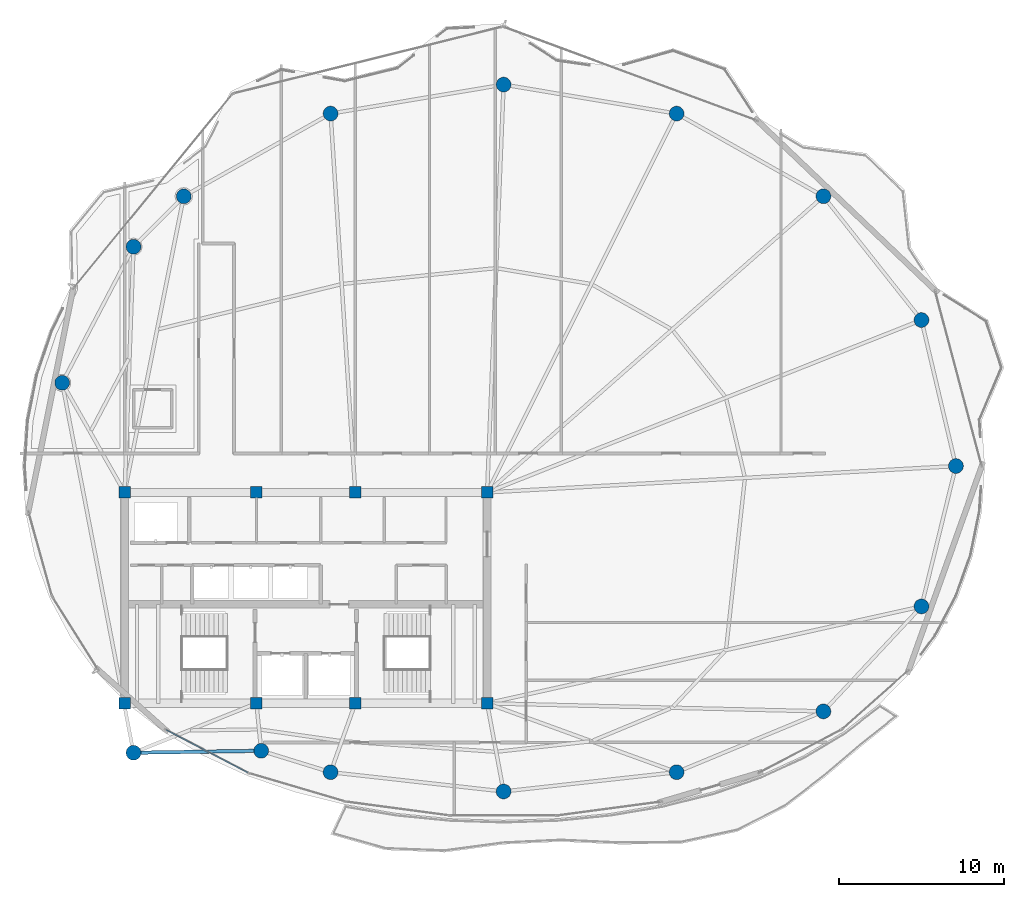
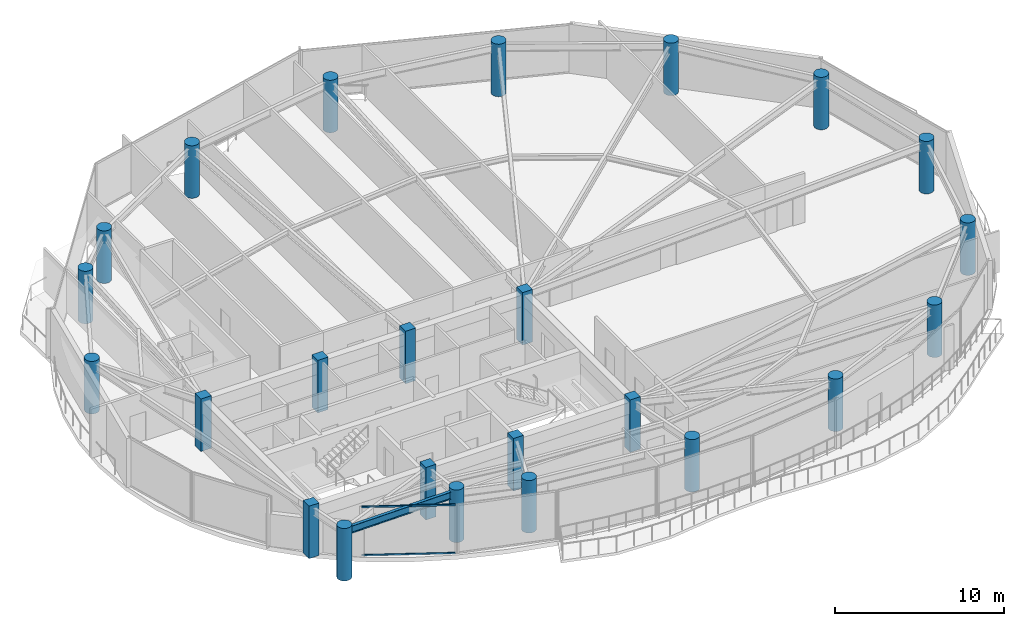
# One storey, part 1 of 29: 24 columns, 2 members, 1 beam, 1 element without a shape of its own.
"""IFC4 building model written with IfcOpenShell, lengths in metres."""

from ifc_helpers import new_model, si_unit, direction, frame, origin, origin_2d, place, context, subcontext, project, spatial, rectangle, hollow_rectangle, circle, i_section, extrude, material, layer, layer_set, material_profile, profile_set, type_object, element, aggregate, save


model = new_model("IFC4")

# Units and contexts
model_context = context("Model", 3, precision=1e-05, world=origin(), true_north=direction((0.0, 1.0)))
body_context = subcontext(model_context, "Body", "Model", "MODEL_VIEW")
ifc_project = project(units=[si_unit("LENGTHUNIT", "METRE"), si_unit("AREAUNIT", "SQUARE_METRE"), si_unit("VOLUMEUNIT", "CUBIC_METRE"), si_unit("PLANEANGLEUNIT", "RADIAN"), si_unit("MASSUNIT", "GRAM", prefix="KILO")], contexts=[model_context])

# Site, building, storey
site_placement = place(None, origin())
site = spatial("IfcSite", under=ifc_project, at=site_placement, CompositionType="ELEMENT")
building_placement = place(site_placement, origin())
building = spatial("IfcBuilding", under=site, at=building_placement, Name="Kazevale Care Tower and Concert Hall", CompositionType="ELEMENT")
storey_placement = place(building_placement, frame((0.0, 0.0, 281.39990234375)))
storey = spatial("IfcBuildingStorey", under=building, at=storey_placement, Name="L74", CompositionType="ELEMENT", Elevation=281.39990234375)

# Columns
ifc_material_1 = material(Name="Concrete C50", Category="concrete")
ifc_material_profile_1 = material_profile(ifc_material_1, rectangle(XDim=0.699951171875, YDim=0.699951171875, at=origin_2d()), Name="RC-SQ700")
ifc_profile_set_1 = profile_set([ifc_material_profile_1], Name="Concrete C50")
column_type_1 = type_object("IfcColumnType", Name="Core Column SQ700 C50", PredefinedType="COLUMN", material=ifc_profile_set_1)
for number, where, z_axis, x_axis, name in (
    (1, (22.0, 23.60009765625, 0.0), (0.0, 0.0, 1.0), (1.0, 0.0, 0.0), "col:L74:CC-01"),
    (2, (30.0, 23.60009765625, 0.0), (0.0, 0.0, 1.0), (1.0, 0.0, 0.0), "col:L74:CC-02"),
    (3, (36.0, 23.60009765625, 0.0), (0.0, 0.0, 1.0), (1.0, 0.0, 0.0), "col:L74:CC-03"),
    (4, (44.0, 23.60009765625, 0.0), (0.0, 0.0, 1.0), (1.0, 0.0, 0.0), "col:L74:CC-04"),
    (5, (44.0, 36.39990234375, 0.0), (0.0, 0.0, 1.0), (1.0, 0.0, 0.0), "col:L74:CC-05"),
    (6, (36.0, 36.39990234375, 0.0), (0.0, 0.0, 1.0), (1.0, 0.0, 0.0), "col:L74:CC-06"),
    (7, (30.0, 36.39990234375, 0.0), (0.0, 0.0, 1.0), (1.0, 0.0, 0.0), "col:L74:CC-07"),
    (8, (22.0, 36.39990234375, 0.0), (0.0, 0.0, 1.0), (1.0, 0.0, 0.0), "col:L74:CC-08"),
):
    element("IfcColumn", number, at=place(storey_placement, frame(where, z_axis=z_axis, x_axis=x_axis)), inside=storey, type_object=column_type_1, Name=name, PredefinedType="COLUMN", context=body_context, shape_type="SweptSolid", body=[
        extrude(rectangle(XDim=0.699951171875, YDim=0.699951171875, at=origin_2d()), origin(), (0.0, 0.0, 1.0), 3.800048828125),
    ])
ifc_material_profile_2 = material_profile(ifc_material_1, circle(Radius=0.449951171875, at=origin_2d()), Name="RC-CIR900")
ifc_profile_set_2 = profile_set([ifc_material_profile_2], Name="Concrete C50")
column_type_2 = type_object("IfcColumnType", Name="Perimeter Column CIR900 C50", PredefinedType="COLUMN", material=ifc_profile_set_2)
for number, where, z_axis, x_axis, name in (
    (9, (72.449951171875, 38.0, 0.0), (0.0, 0.0, 1.0), (1.0, 0.0, 0.0), "col:L74:PC-01"),
    (10, (70.360107421875, 46.860107421875, 0.0), (0.0, 0.0, 1.0), (1.0, 0.0, 0.0), "col:L74:PC-02"),
    (11, (64.409912109375, 54.3701171875, 0.0), (0.0, 0.0, 1.0), (1.0, 0.0, 0.0), "col:L74:PC-03"),
    (12, (55.5, 59.389892578125, 0.0), (0.0, 0.0, 1.0), (1.0, 0.0, 0.0), "col:L74:PC-04"),
    (13, (45.0, 61.14990234375, 0.0), (0.0, 0.0, 1.0), (1.0, 0.0, 0.0), "col:L74:PC-05"),
    (14, (34.5, 59.389892578125, 0.0), (0.0, 0.0, 1.0), (1.0, 0.0, 0.0), "col:L74:PC-06"),
    (15, (25.590087890625, 54.3701171875, 0.0), (0.0, 0.0, 1.0), (1.0, 0.0, 0.0), "col:L74:PC-07"),
    (16, (22.5400390625, 51.31005859375, 0.0), (0.0, 0.0, 1.0), (1.0, 0.0, 0.0), "col:L74:PC-08"),
    (17, (18.2099609375, 43.050048828125, 0.0), (0.0, 0.0, 1.0), (1.0, 0.0, 0.0), "col:L74:PC-09"),
    (18, (22.5400390625, 20.60009765625, 0.0), (0.0, 0.0, 1.0), (1.0, 0.0, 0.0), "col:L74:PC-10"),
    (19, (30.2900390625, 20.719970703125, 0.0), (0.0, 0.0, 1.0), (1.0, 0.0, 0.0), "col:L74:PC-11"),
    (20, (34.5, 19.419921875, 0.0), (0.0, 0.0, 1.0), (1.0, 0.0, 0.0), "col:L74:PC-12"),
    (21, (45.0, 18.25, 0.0), (0.0, 0.0, 1.0), (1.0, 0.0, 0.0), "col:L74:PC-13"),
    (22, (55.5, 19.419921875, 0.0), (0.0, 0.0, 1.0), (1.0, 0.0, 0.0), "col:L74:PC-14"),
    (23, (64.409912109375, 23.110107421875, 0.0), (0.0, 0.0, 1.0), (1.0, 0.0, 0.0), "col:L74:PC-15"),
    (24, (70.360107421875, 29.47998046875, 0.0), (0.0, 0.0, 1.0), (1.0, 0.0, 0.0), "col:L74:PC-16"),
):
    element("IfcColumn", number, at=place(storey_placement, frame(where, z_axis=z_axis, x_axis=x_axis)), inside=storey, type_object=column_type_2, Name=name, PredefinedType="COLUMN", context=body_context, shape_type="SweptSolid", body=[
        extrude(circle(Radius=0.449951171875, at=origin_2d()), origin(), (0.0, 0.0, 1.0), 3.800048828125),
    ])

# Curtain wall, members
ifc_material_2 = material(Name="Aluminium 6063-T6 and Low-E Glass", Category="aluminium")
ifc_layer = layer(ifc_material_2, 0.179931640625)
ifc_layer_set = layer_set([ifc_layer], Name="Aluminium 6063-T6 and Low-E Glass")
curtain_wall_type = type_object("IfcCurtainWallType", Name="Sheltered Concave Balcony Curtain Wall CW-5", PredefinedType="NOTDEFINED", material=ifc_layer_set)
curtain_wall_placement = place(storey_placement, origin())
curtain_wall = element("IfcCurtainWall", 25, at=curtain_wall_placement, inside=storey, type_object=curtain_wall_type, Name="cw:L74:f09", PredefinedType="NOTDEFINED")
ifc_material_3 = material(Name="Aluminium 6063-T6", Category="aluminium")
ifc_material_profile_3 = material_profile(ifc_material_3, hollow_rectangle(XDim=0.074951171875, YDim=0.1201171875, WallThickness=0.00390625, at=origin_2d()), Name="ALU75x120x4")
ifc_profile_set_3 = profile_set([ifc_material_profile_3], Name="Aluminium 6063-T6")
member_type = type_object("IfcMemberType", Name="CW-5 Transom ALU75x120x4", PredefinedType="USERDEFINED", material=ifc_profile_set_3)
member_1_placement = place(storey_placement, frame((29.464599609375, 19.399658203125, 0.03759765625), z_axis=(-0.885987336027, 0.463709435314, 0.0), x_axis=(-0.463709435314, -0.885987336027, 0.0)))
member_1 = element("IfcMember", 26, at=member_1_placement, type_object=member_type, Name="CW-5 transom 1.1", ObjectType="TRANSOM", PredefinedType="USERDEFINED", context=body_context, shape_type="SweptSolid", body=[
    extrude(hollow_rectangle(XDim=0.074951171875, YDim=0.1201171875, WallThickness=0.00390625, at=origin_2d()), origin(), (0.0, 0.0, 1.0), 5.580322265625),
])
member_2_placement = place(storey_placement, frame((29.464599609375, 19.399658203125, 3.522705078125), z_axis=(-0.885987336027, 0.463709435314, 0.0), x_axis=(-0.463709435314, -0.885987336027, 0.0)))
member_2 = element("IfcMember", 27, at=member_2_placement, type_object=member_type, Name="CW-5 transom 1.2", ObjectType="TRANSOM", PredefinedType="USERDEFINED", context=body_context, shape_type="SweptSolid", body=[
    extrude(hollow_rectangle(XDim=0.074951171875, YDim=0.1201171875, WallThickness=0.00390625, at=origin_2d()), origin(), (0.0, 0.0, 1.0), 5.580322265625),
])
aggregate(curtain_wall, [member_1, member_2])

# Beam
ifc_material_4 = material(Name="Steel ASTM A572 Gr 50", Category="steel")
ifc_material_profile_4 = material_profile(ifc_material_4, i_section(OverallWidth=0.208984375, OverallDepth=0.532958984375, WebThickness=0.01025390625, FlangeThickness=0.015625, at=origin_2d()), Name="W530x92")
ifc_profile_set_4 = profile_set([ifc_material_profile_4], Name="Steel ASTM A572 Gr 50")
beam_type = type_object("IfcBeamType", Name="Upper Ring Beam W530x92", PredefinedType="BEAM", material=ifc_profile_set_4)
beam_placement = place(storey_placement, frame((22.5400390625, 20.60009765625, 3.293701171875), z_axis=(0.999880399838, 0.015465640005, 0.0), x_axis=(-0.015465640005, 0.999880399838, 0.0)))
element("IfcBeam", 28, at=beam_placement, inside=storey, type_object=beam_type, Name="beam:L74:ring:10", PredefinedType="BEAM", context=body_context, shape_type="SweptSolid", body=[
    extrude(i_section(OverallWidth=0.208984375, OverallDepth=0.532958984375, WebThickness=0.01025390625, FlangeThickness=0.015625, at=origin_2d()), origin(), (0.0, 0.0, 1.0), 7.7509765625),
])

save(model, "model.ifc")
